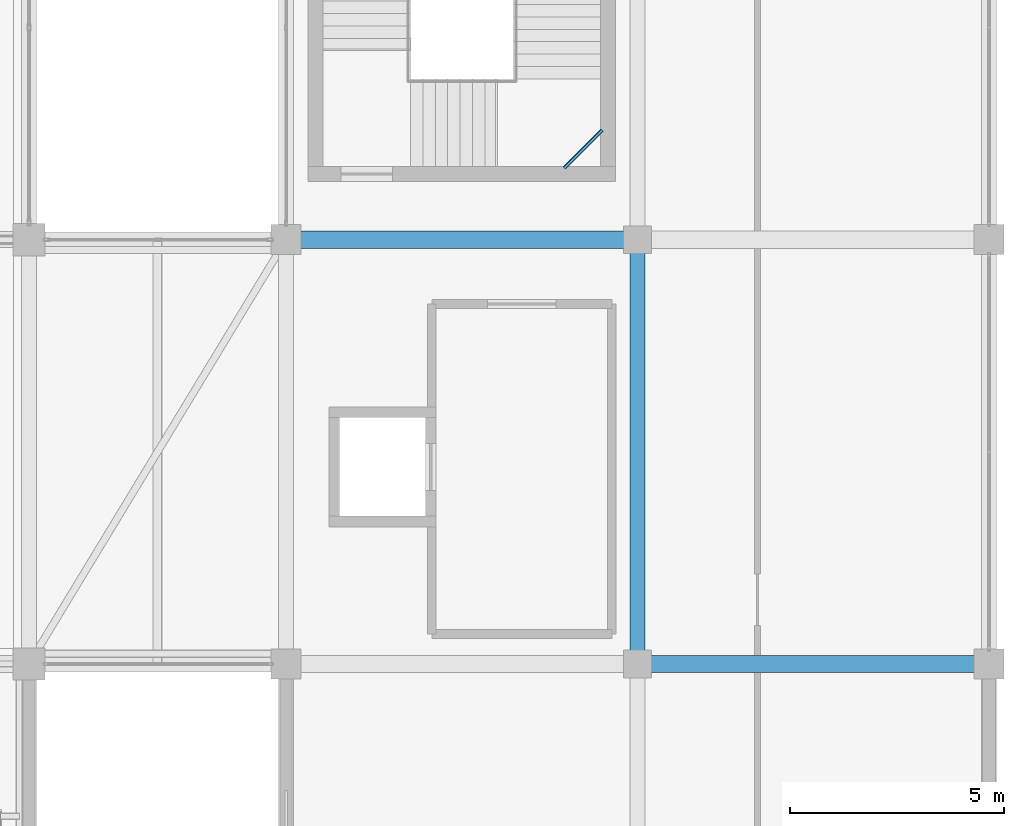
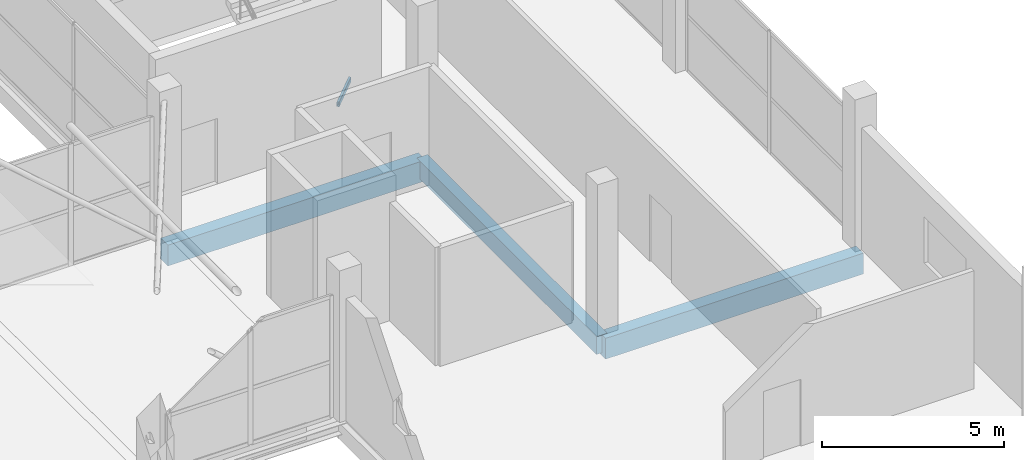
# One storey, part 17 of 67: 4 beams.
"""IFC4 building model written with IfcOpenShell, lengths in metres."""

from ifc_helpers import new_model, si_unit, direction, frame, origin, origin_2d, place, context, subcontext, project, spatial, rectangle, hollow_rectangle, extrude, material, material_profile, profile_set, type_object, element, save


model = new_model("IFC4")

# Units and contexts
model_context = context("Model", 3, precision=1e-05, world=origin(), true_north=direction((0.0, 1.0)))
body_context = subcontext(model_context, "Body", "Model", "MODEL_VIEW")
ifc_project = project(units=[si_unit("LENGTHUNIT", "METRE"), si_unit("AREAUNIT", "SQUARE_METRE"), si_unit("VOLUMEUNIT", "CUBIC_METRE"), si_unit("PLANEANGLEUNIT", "RADIAN"), si_unit("MASSUNIT", "GRAM", prefix="KILO")], contexts=[model_context])

# Site, building, storey
site_placement = place(None, origin())
site = spatial("IfcSite", under=ifc_project, at=site_placement, CompositionType="ELEMENT")
building_placement = place(site_placement, origin())
building = spatial("IfcBuilding", under=site, at=building_placement, Name="Sillaruma Civic Art Gallery", CompositionType="ELEMENT")
storey_placement = place(building_placement, frame((0.0, 0.0, 46.919921875)))
storey = spatial("IfcBuildingStorey", under=building, at=storey_placement, Name="L09", CompositionType="ELEMENT", Elevation=46.919921875)

# Beams
ifc_material_1 = material(Name="Concrete H35 (35 MPa)", Category="concrete")
ifc_material_profile_1 = material_profile(ifc_material_1, rectangle(XDim=0.35009765625, YDim=0.60009765625, at=origin_2d()), Name="RCB350x600")
ifc_profile_set_1 = profile_set([ifc_material_profile_1], Name="Concrete H35 (35 MPa)")
beam_type_1 = type_object("IfcBeamType", Name="BM-BEAM-RCB350x600", PredefinedType="BEAM", material=ifc_profile_set_1)
beam_1_placement = place(storey_placement, frame((106.199951171875, 39.60009765625, -0.5498046875), z_axis=(0.0, 1.0, 0.0), x_axis=(-1.0, 0.0, 0.0)))
element("IfcBeam", 1, at=beam_1_placement, inside=storey, type_object=beam_type_1, Name="Beam BM-06 (L08:M:5-6)", PredefinedType="BEAM", context=body_context, shape_type="SweptSolid", body=[
    extrude(rectangle(XDim=0.35009765625, YDim=0.60009765625, at=origin_2d()), origin(), (0.0, 0.0, 1.0), 9.89990234375),
])
ifc_material_profile_2 = material_profile(ifc_material_1, rectangle(XDim=0.39990234375, YDim=0.699951171875, at=origin_2d()), Name="RCB400x700")
ifc_profile_set_2 = profile_set([ifc_material_profile_2], Name="Concrete H35 (35 MPa)")
beam_type_2 = type_object("IfcBeamType", Name="BM-BEAM-RCB400x700", PredefinedType="BEAM", material=ifc_profile_set_2)
for number, where, z_axis, x_axis, name in (
    (2, (106.199951171875, 39.60009765625, -0.599853515625), (1.0, 0.0, 0.0), (0.0, 1.0, 0.0), "Beam BM-04 (L08:5:M-N)"),
    (3, (98.0, 49.5, -0.599853515625), (1.0, 0.0, 0.0), (0.0, 1.0, 0.0), "Beam BM-04 (L08:6:L-M)"),
):
    element("IfcBeam", number, at=place(storey_placement, frame(where, z_axis=z_axis, x_axis=x_axis)), inside=storey, type_object=beam_type_2, Name=name, PredefinedType="BEAM", context=body_context, shape_type="SweptSolid", body=[
        extrude(rectangle(XDim=0.39990234375, YDim=0.699951171875, at=origin_2d()), origin(), (0.0, 0.0, 1.0), 8.199951171875),
    ])
ifc_material_2 = material(Name="Structural Steel ASTM A500 Gr.C", Category="steel")
ifc_material_profile_3 = material_profile(ifc_material_2, hollow_rectangle(XDim=0.080078125, YDim=0.159912109375, WallThickness=0.008056640625, InnerFilletRadius=0.008056640625, OuterFilletRadius=0.01611328125, at=origin_2d()), Name="HSS160x80x8")
ifc_profile_set_3 = profile_set([ifc_material_profile_3], Name="Structural Steel ASTM A500 Gr.C")
beam_type_3 = type_object("IfcBeamType", Name="BM-LND-HSS160", PredefinedType="BEAM", material=ifc_profile_set_3)
beam_2_placement = place(storey_placement, frame((104.489990234375, 51.169921875, 1.080078125), z_axis=(0.707009791025, 0.707203758046, 0.0), x_axis=(-0.707203758046, 0.707009791025, 0.0)))
element("IfcBeam", 4, at=beam_2_placement, inside=storey, type_object=beam_type_3, Name="Stair Corner Landing Trimmer Beam (ST-04-L09-1)", PredefinedType="BEAM", context=body_context, shape_type="SweptSolid", body=[
    extrude(hollow_rectangle(XDim=0.080078125, YDim=0.159912109375, WallThickness=0.008056640625, InnerFilletRadius=0.008056640625, OuterFilletRadius=0.01611328125, at=origin_2d()), origin(), (0.0, 0.0, 1.0), 1.2587890625),
])

save(model, "model.ifc")
